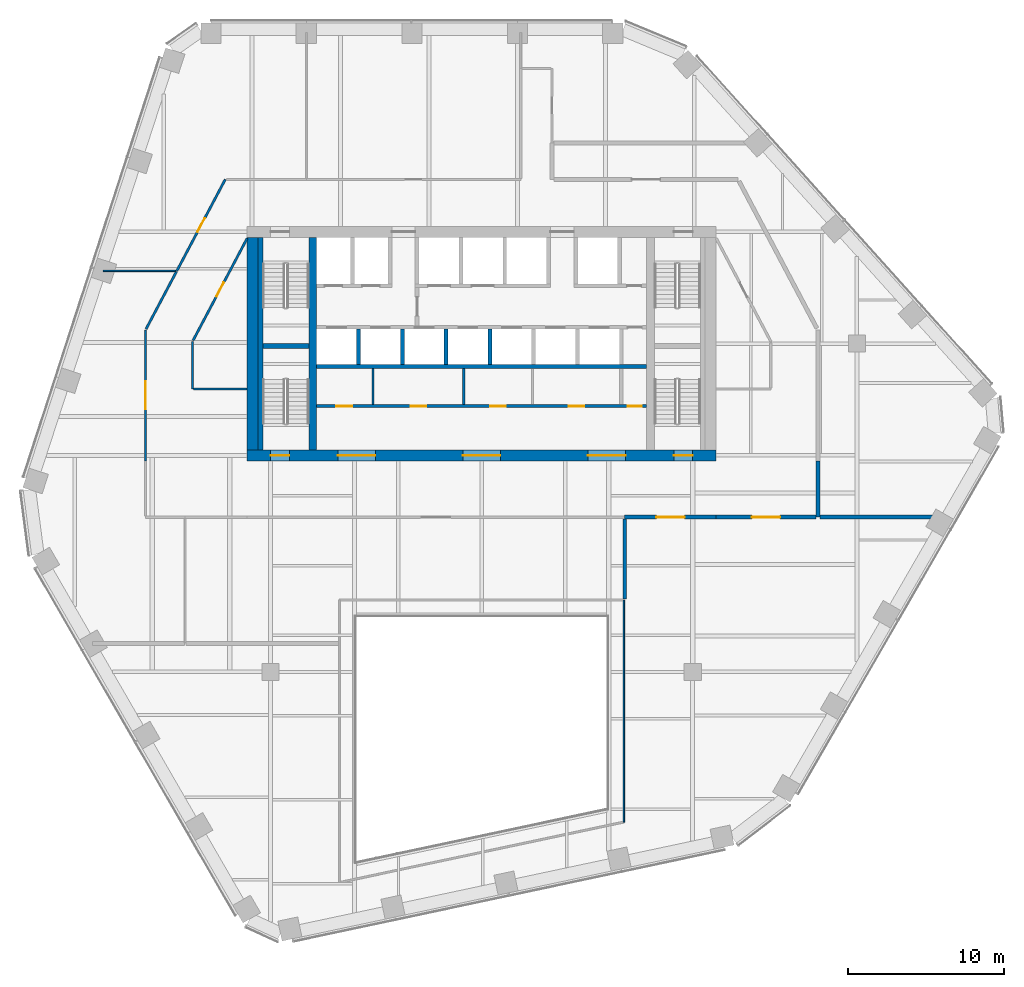
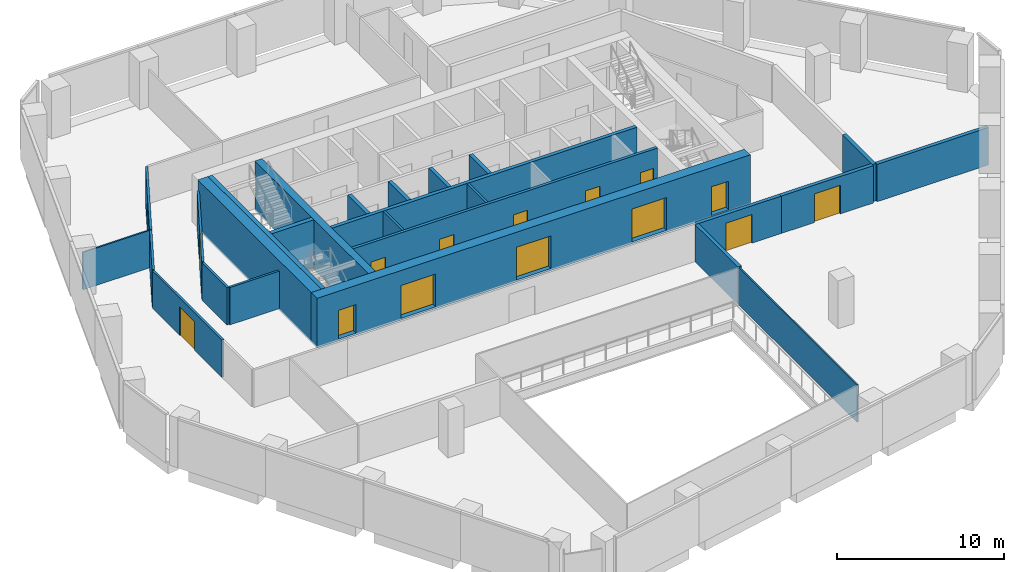
# One storey, part 11 of 16: 26 walls, 15 doors, 15 openings.
"""IFC4 building model written with IfcOpenShell, lengths in metres."""

from ifc_helpers import new_model, si_unit, direction, frame, frame_2d, origin, place, context, subcontext, project, spatial, rectangle, extrude, material, layer, layer_set, type_object, element, fill, save


model = new_model("IFC4")

# Units and contexts
model_context = context("Model", 3, precision=1e-05, world=origin(), true_north=direction((0.0, 1.0)))
body_context = subcontext(model_context, "Body", "Model", "MODEL_VIEW")
ifc_project = project(units=[si_unit("LENGTHUNIT", "METRE"), si_unit("AREAUNIT", "SQUARE_METRE"), si_unit("VOLUMEUNIT", "CUBIC_METRE"), si_unit("PLANEANGLEUNIT", "RADIAN"), si_unit("MASSUNIT", "GRAM", prefix="KILO")], contexts=[model_context])

# Site, building, storey
site_placement = place(None, origin())
site = spatial("IfcSite", under=ifc_project, at=site_placement, CompositionType="ELEMENT")
building_placement = place(site_placement, origin())
building = spatial("IfcBuilding", under=site, at=building_placement, Name="Isthmus Gate Tower", CompositionType="ELEMENT")
storey_placement = place(building_placement, frame((0.0, 0.0, 170.800048828125)))
storey = spatial("IfcBuildingStorey", under=building, at=storey_placement, Name="L42", CompositionType="ELEMENT", Elevation=170.800048828125)

# Wall, opening, door
ifc_material_1 = material(Name="Double-leaf acoustic stud wall, fire-rated", Category="gypsum")
ifc_layer_1 = layer(ifc_material_1, 0.25)
ifc_layer_set_1 = layer_set([ifc_layer_1], Name="ACOUSTIC WALL 250 60 MIN")
wall_type_1 = type_object("IfcWallType", Name="ACOUSTIC WALL 250 60 MIN", PredefinedType="PARTITIONING", material=ifc_layer_set_1)
wall_1_placement = place(storey_placement, frame((15.0, -3.60009765625, 0.0), z_axis=(0.0, 0.0, 1.0), x_axis=(-1.0, 0.0, 0.0)))
wall_1 = element("IfcWall", 1, at=wall_1_placement, inside=storey, type_object=wall_type_1, Name="L42 Acoustic Wall 250 60 Min", PredefinedType="PARTITIONING", context=body_context, shape_type="SweptSolid", body=[
    extrude(rectangle(XDim=5.85009765625, YDim=0.25, at=frame_2d((2.925048828125, 0.0))), origin(), (0.0, 0.0, 1.0), 2.7412109375),
])
opening_1_placement = place(wall_1_placement, frame((2.02490234375, 0.0, 0.0)))
opening_1 = element("IfcOpeningElement", 2, at=opening_1_placement, cuts=wall_1, Name="Opening DT-T4A-10", PredefinedType="OPENING", context=body_context, shape_type="SweptSolid", body=[
    extrude(rectangle(XDim=1.800048828125, YDim=2.10009765625, at=frame_2d((0.89990234375, 1.050048828125))), frame((0.0, 0.135009765625, 0.0), z_axis=(0.0, -1.0, 0.0), x_axis=(1.0, 0.0, 0.0)), (0.0, 0.0, 1.0), 0.27001953125),
])
ifc_material_2 = material(Name="Solid core timber door leaf, fire-rated", Category="wood")
door_type_1 = type_object("IfcDoorType", Name="FIRE DOOR ACOUSTIC ROOM 1800 X 2100 60 MIN", OperationType="DOUBLE_DOOR_DOUBLE_SWING", PredefinedType="DOOR", material=ifc_material_2)
door_1_placement = place(opening_1_placement, origin())
door_1 = element("IfcDoor", 3, at=door_1_placement, inside=storey, type_object=door_type_1, Name="L42 room door", OperationType="DOUBLE_DOOR_DOUBLE_SWING", OverallHeight=2.10009765625, OverallWidth=1.800048828125, PredefinedType="DOOR", context=body_context, shape_type="SweptSolid", body=[
    extrude(rectangle(XDim=1.800048828125, YDim=2.10009765625, at=frame_2d((0.89990234375, 1.050048828125))), frame((0.0, 0.02490234375, 0.0), z_axis=(0.0, -1.0, 0.0), x_axis=(1.0, 0.0, 0.0)), (0.0, 0.0, 1.0), 0.050048828125),
])
fill(opening_1, door_1)

# Wall
wall_2_placement = place(storey_placement, frame((21.5, 0.0, 0.0), z_axis=(0.0, 0.0, 1.0), x_axis=(0.0, -1.0, 0.0)))
element("IfcWall", 4, at=wall_2_placement, inside=storey, type_object=wall_type_1, Name="L42 Acoustic Wall 250 60 Min", PredefinedType="PARTITIONING", context=body_context, shape_type="SweptSolid", body=[
    extrude(rectangle(XDim=3.60009765625, YDim=0.25, at=frame_2d((1.800048828125, 0.0))), origin(), (0.0, 0.0, 1.0), 2.7412109375),
])

# Wall, opening, door
wall_3_placement = place(storey_placement, frame((21.375, -3.60009765625, 0.0), z_axis=(0.0, 0.0, 1.0), x_axis=(-1.0, 0.0, 0.0)))
wall_3 = element("IfcWall", 5, at=wall_3_placement, inside=storey, type_object=wall_type_1, Name="L42 Acoustic Wall 250 60 Min", PredefinedType="PARTITIONING", context=body_context, shape_type="SweptSolid", body=[
    extrude(rectangle(XDim=6.375, YDim=0.25, at=frame_2d((3.1875, 0.0))), origin(), (0.0, 0.0, 1.0), 2.7412109375),
])
opening_2_placement = place(wall_3_placement, frame((2.28759765625, 0.0, 0.0)))
opening_2 = element("IfcOpeningElement", 6, at=opening_2_placement, cuts=wall_3, Name="Opening DT-T4A-09", PredefinedType="OPENING", context=body_context, shape_type="SweptSolid", body=[
    extrude(rectangle(XDim=1.800048828125, YDim=2.10009765625, at=frame_2d((0.89990234375, 1.050048828125))), frame((0.0, 0.135009765625, 0.0), z_axis=(0.0, -1.0, 0.0), x_axis=(1.0, 0.0, 0.0)), (0.0, 0.0, 1.0), 0.27001953125),
])
door_2_placement = place(opening_2_placement, origin())
door_2 = element("IfcDoor", 7, at=door_2_placement, inside=storey, type_object=door_type_1, Name="L42 room door", OperationType="DOUBLE_DOOR_DOUBLE_SWING", OverallHeight=2.10009765625, OverallWidth=1.800048828125, PredefinedType="DOOR", context=body_context, shape_type="SweptSolid", body=[
    extrude(rectangle(XDim=1.800048828125, YDim=2.10009765625, at=frame_2d((0.89990234375, 1.050048828125))), frame((0.0, 0.02490234375, 0.0), z_axis=(0.0, -1.0, 0.0), x_axis=(1.0, 0.0, 0.0)), (0.0, 0.0, 1.0), 0.050048828125),
])
fill(opening_2, door_2)

# Walls
wall_4_placement = place(storey_placement, frame((21.6259765625, -3.597900390625, 0.0), z_axis=(0.0, 0.0, 1.0), x_axis=(1.0, 0.0, 0.0)))
element("IfcWall", 8, at=wall_4_placement, inside=storey, type_object=wall_type_1, Name="L42 Acoustic Wall 250 60 Min", PredefinedType="PARTITIONING", context=body_context, shape_type="SweptSolid", body=[
    extrude(rectangle(XDim=7.72509765625, YDim=0.25, at=frame_2d((3.862548828125, 0.0))), origin(), (0.0, 0.0, 1.0), 2.7412109375),
])
wall_5_placement = place(storey_placement, frame((9.14990234375, -8.85009765625, 0.0), z_axis=(0.0, 0.0, 1.0), x_axis=(0.0, 1.0, 0.0)))
element("IfcWall", 9, at=wall_5_placement, inside=storey, type_object=wall_type_1, Name="L42 Acoustic Wall 250 60 Min", PredefinedType="PARTITIONING", context=body_context, shape_type="SweptSolid", body=[
    extrude(rectangle(XDim=5.125, YDim=0.25, at=frame_2d((2.5625, 0.0))), origin(), (0.0, 0.0, 1.0), 2.7412109375),
])
ifc_material_3 = material(Name="Fire-rated laminated glass in steel frame", Category="steel")
ifc_layer_2 = layer(ifc_material_3, 0.10009765625)
ifc_layer_set_2 = layer_set([ifc_layer_2], Name="ATRIUM SCREEN GLAZED WALL 100 120 MIN")
wall_type_2 = type_object("IfcWallType", Name="ATRIUM SCREEN GLAZED WALL 100 120 MIN", PredefinedType="PARTITIONING", material=ifc_layer_set_2)
wall_6_placement = place(storey_placement, frame((9.10009765625, -8.89990234375, 0.0), z_axis=(0.0, 0.0, 1.0), x_axis=(0.0, -1.0, 0.0)))
element("IfcWall", 10, at=wall_6_placement, inside=storey, type_object=wall_type_2, Name="L42 atrium screen", PredefinedType="PARTITIONING", context=body_context, shape_type="SweptSolid", body=[
    extrude(rectangle(XDim=14.200927734375, YDim=0.10009765625, at=frame_2d((7.1005859375, 0.0))), origin(), (0.0, 0.0, 1.0), 2.7412109375),
])
ifc_material_4 = material(Name="Gypsum board on steel studs, fire-rated", Category="steel")
ifc_layer_3 = layer(ifc_material_4, 0.14990234375)
ifc_layer_set_3 = layer_set([ifc_layer_3], Name="CORRIDOR WALL 150 60 MIN")
wall_type_3 = type_object("IfcWallType", Name="CORRIDOR WALL 150 60 MIN", PredefinedType="PARTITIONING", material=ifc_layer_set_3)
wall_7_placement = place(storey_placement, frame((-18.5, 7.626953125, 0.0), z_axis=(0.0, 0.0, 1.0), x_axis=(0.0, -1.0, 0.0)))
element("IfcWall", 11, at=wall_7_placement, inside=storey, type_object=wall_type_3, Name="L42 Corridor Wall 150 60 Min", PredefinedType="PARTITIONING", context=body_context, shape_type="SweptSolid", body=[
    extrude(rectangle(XDim=3.02685546875, YDim=0.14990234375, at=frame_2d((1.513427734375, 0.0))), origin(), (0.0, 0.0, 1.0), 2.7412109375),
])

# Wall, opening, door
wall_8_placement = place(storey_placement, frame((-15.0, 14.239013671875, 0.0), z_axis=(0.0, 0.0, 1.0), x_axis=(-0.467834708812, -0.88381597928, 0.0)))
wall_8 = element("IfcWall", 12, at=wall_8_placement, inside=storey, type_object=wall_type_3, Name="L42 Corridor Wall 150 60 Min", PredefinedType="PARTITIONING", context=body_context, shape_type="SweptSolid", body=[
    extrude(rectangle(XDim=7.40625, YDim=0.14990234375, at=frame_2d((3.703125, 0.0))), origin(), (0.0, 0.0, 1.0), 2.7412109375),
])
opening_3_placement = place(wall_8_placement, frame((3.203125, 0.0, 0.0)))
opening_3 = element("IfcOpeningElement", 13, at=opening_3_placement, cuts=wall_8, Name="Opening DT-T4A-04", PredefinedType="OPENING", context=body_context, shape_type="SweptSolid", body=[
    extrude(rectangle(XDim=1.0, YDim=2.10009765625, at=frame_2d((0.5, 1.050048828125))), frame((0.0, 0.0849609375, 0.0), z_axis=(0.0, -1.0, 0.0), x_axis=(1.0, 0.0, 0.0)), (0.0, 0.0, 1.0), 0.169921875),
])
ifc_material_5 = material(Name="Solid core timber door leaf, fire-rated", Category="wood")
door_type_2 = type_object("IfcDoorType", Name="FIRE DOOR ROOM 1000 X 2100 60 MIN", OperationType="SINGLE_SWING_LEFT", PredefinedType="DOOR", material=ifc_material_5)
door_3_placement = place(opening_3_placement, origin())
door_3 = element("IfcDoor", 14, at=door_3_placement, inside=storey, type_object=door_type_2, Name="L42 room door", OperationType="SINGLE_SWING_RIGHT", OverallHeight=2.10009765625, OverallWidth=1.0, PredefinedType="DOOR", context=body_context, shape_type="SweptSolid", body=[
    extrude(rectangle(XDim=1.0, YDim=2.10009765625, at=frame_2d((0.5, 1.050048828125))), frame((0.0, 0.02490234375, 0.0), z_axis=(0.0, -1.0, 0.0), x_axis=(1.0, 0.0, 0.0)), (0.0, 0.0, 1.0), 0.050048828125),
])
fill(opening_3, door_3)

wall_9_placement = place(storey_placement, frame((-19.4970703125, 12.156005859375, 0.0), z_axis=(0.0, 0.0, 1.0), x_axis=(0.467901291368, 0.883780731593, 0.0)))
wall_9 = element("IfcWall", 15, at=wall_9_placement, inside=storey, type_object=wall_type_3, Name="L42 Corridor Wall 150 60 Min", PredefinedType="PARTITIONING", context=body_context, shape_type="SweptSolid", body=[
    extrude(rectangle(XDim=6.612548828125, YDim=0.14990234375, at=frame_2d((3.30615234375, 0.0))), origin(), (0.0, 0.0, 1.0), 2.7412109375),
])
opening_4_placement = place(wall_9_placement, frame((2.806396484375, 0.0, 0.0)))
opening_4 = element("IfcOpeningElement", 16, at=opening_4_placement, cuts=wall_9, Name="Opening DT-T4A-03", PredefinedType="OPENING", context=body_context, shape_type="SweptSolid", body=[
    extrude(rectangle(XDim=1.0, YDim=2.10009765625, at=frame_2d((0.5, 1.050048828125))), frame((0.0, 0.0849609375, 0.0), z_axis=(0.0, -1.0, 0.0), x_axis=(1.0, 0.0, 0.0)), (0.0, 0.0, 1.0), 0.169921875),
])
door_4_placement = place(opening_4_placement, origin())
door_4 = element("IfcDoor", 17, at=door_4_placement, inside=storey, type_object=door_type_2, Name="L42 room door", OperationType="SINGLE_SWING_RIGHT", OverallHeight=2.10009765625, OverallWidth=1.0, PredefinedType="DOOR", context=body_context, shape_type="SweptSolid", body=[
    extrude(rectangle(XDim=1.0, YDim=2.10009765625, at=frame_2d((0.5, 1.050048828125))), frame((0.0, 0.02490234375, 0.0), z_axis=(0.0, -1.0, 0.0), x_axis=(1.0, 0.0, 0.0)), (0.0, 0.0, 1.0), 0.050048828125),
])
fill(opening_4, door_4)

# Wall
wall_10_placement = place(storey_placement, frame((-18.425048828125, 4.60009765625, 0.0), z_axis=(0.0, 0.0, 1.0), x_axis=(1.0, 0.0, 0.0)))
element("IfcWall", 18, at=wall_10_placement, inside=storey, type_object=wall_type_3, Name="L42 Corridor Wall 150 60 Min", PredefinedType="PARTITIONING", context=body_context, shape_type="SweptSolid", body=[
    extrude(rectangle(XDim=3.425048828125, YDim=0.14990234375, at=frame_2d((1.71240234375, 0.0))), origin(), (0.0, 0.0, 1.0), 2.7412109375),
])

# Wall, opening, door
wall_11_placement = place(storey_placement, frame((-21.5, 0.0, 0.0), z_axis=(0.0, 0.0, 1.0), x_axis=(0.0, 1.0, 0.0)))
wall_11 = element("IfcWall", 19, at=wall_11_placement, inside=storey, type_object=wall_type_3, Name="L42 Corridor Wall 150 60 Min", PredefinedType="PARTITIONING", context=body_context, shape_type="SweptSolid", body=[
    extrude(rectangle(XDim=8.373046875, YDim=0.14990234375, at=frame_2d((4.1865234375, 0.0))), origin(), (0.0, 0.0, 1.0), 2.7412109375),
])
opening_5_placement = place(wall_11_placement, frame((3.28662109375, 0.0, 0.0)))
opening_5 = element("IfcOpeningElement", 20, at=opening_5_placement, cuts=wall_11, Name="Opening DT-T4A-07", PredefinedType="OPENING", context=body_context, shape_type="SweptSolid", body=[
    extrude(rectangle(XDim=1.800048828125, YDim=2.10009765625, at=frame_2d((0.89990234375, 1.050048828125))), frame((0.0, 0.0849609375, 0.0), z_axis=(0.0, -1.0, 0.0), x_axis=(1.0, 0.0, 0.0)), (0.0, 0.0, 1.0), 0.169921875),
])
ifc_material_6 = material(Name="Solid core timber door leaf, fire-rated", Category="wood")
door_type_3 = type_object("IfcDoorType", Name="FIRE DOOR ROOM 1800 X 2100 60 MIN", OperationType="DOUBLE_DOOR_DOUBLE_SWING", PredefinedType="DOOR", material=ifc_material_6)
door_5_placement = place(opening_5_placement, origin())
door_5 = element("IfcDoor", 21, at=door_5_placement, inside=storey, type_object=door_type_3, Name="L42 room door", OperationType="DOUBLE_DOOR_DOUBLE_SWING", OverallHeight=2.10009765625, OverallWidth=1.800048828125, PredefinedType="DOOR", context=body_context, shape_type="SweptSolid", body=[
    extrude(rectangle(XDim=1.800048828125, YDim=2.10009765625, at=frame_2d((0.89990234375, 1.050048828125))), frame((0.0, 0.02490234375, 0.0), z_axis=(0.0, -1.0, 0.0), x_axis=(1.0, 0.0, 0.0)), (0.0, 0.0, 1.0), 0.050048828125),
])
fill(opening_5, door_5)

# Walls
wall_12_placement = place(storey_placement, frame((-21.46484375, 8.439208984375, 0.0), z_axis=(0.0, 0.0, 1.0), x_axis=(0.467890419772, 0.883786487272, 0.0)))
element("IfcWall", 22, at=wall_12_placement, inside=storey, type_object=wall_type_3, Name="L42 Corridor Wall 150 60 Min", PredefinedType="PARTITIONING", context=body_context, shape_type="SweptSolid", body=[
    extrude(rectangle(XDim=4.155517578125, YDim=0.14990234375, at=frame_2d((2.07763671875, 0.0))), origin(), (0.0, 0.0, 1.0), 2.7412109375),
])
ifc_material_7 = material(Name="Concrete f'c 60 MPa", Category="concrete")
ifc_layer_4 = layer(ifc_material_7, 0.5)
ifc_layer_set_4 = layer_set([ifc_layer_4], Name="RC CORE SPINE WALL 500 F'C 60")
wall_type_4 = type_object("IfcWallType", Name="RC CORE SPINE WALL 500 F'C 60", PredefinedType="SOLIDWALL", material=ifc_layer_set_4)
wall_13_placement = place(storey_placement, frame((-10.800048828125, 0.699951171875, -0.150146484375), z_axis=(0.0, 0.0, 1.0), x_axis=(0.0, 1.0, 0.0)))
element("IfcWall", 23, at=wall_13_placement, inside=storey, type_object=wall_type_4, Name="str-corewall-L42-SPW", PredefinedType="SOLIDWALL", context=body_context, shape_type="SweptSolid", body=[
    extrude(rectangle(XDim=13.60009765625, YDim=0.5, at=frame_2d((6.800048828125, 0.0))), origin(), (0.0, 0.0, 1.0), 3.650146484375),
])

# Wall, openings, doors
ifc_material_8 = material(Name="Concrete f'c 60 MPa", Category="concrete")
ifc_layer_5 = layer(ifc_material_8, 0.699951171875)
ifc_layer_set_5 = layer_set([ifc_layer_5], Name="RC CORE WALL 700 F'C 60")
wall_type_5 = type_object("IfcWallType", Name="RC CORE WALL 700 F'C 60", PredefinedType="SOLIDWALL", material=ifc_layer_set_5)
wall_14_placement = place(storey_placement, frame((-15.0, 0.35009765625, -0.150146484375), z_axis=(0.0, 0.0, 1.0), x_axis=(1.0, 0.0, 0.0)))
wall_14 = element("IfcWall", 24, at=wall_14_placement, inside=storey, type_object=wall_type_5, Name="str-corewall-L42-S", PredefinedType="SOLIDWALL", context=body_context, shape_type="SweptSolid", body=[
    extrude(rectangle(XDim=30.0, YDim=0.699951171875, at=frame_2d((15.0, 0.0))), origin(), (0.0, 0.0, 1.0), 3.650146484375),
])
opening_6_placement = place(wall_14_placement, frame((5.800048828125, 0.0, 0.14990234375)))
opening_6 = element("IfcOpeningElement", 25, at=opening_6_placement, cuts=wall_14, Name="Opening DC-A13-09", PredefinedType="OPENING", context=body_context, shape_type="SweptSolid", body=[
    extrude(rectangle(XDim=2.39990234375, YDim=2.39990234375, at=frame_2d((1.199951171875, 1.199951171875))), frame((0.0, 0.35986328125, 0.0), z_axis=(0.0, -1.0, 0.0), x_axis=(1.0, 0.0, 0.0)), (0.0, 0.0, 1.0), 0.719970703125),
])
opening_7_placement = place(wall_14_placement, frame((13.800048828125, 0.0, 0.14990234375)))
opening_7 = element("IfcOpeningElement", 26, at=opening_7_placement, cuts=wall_14, Name="Opening DC-A13-10", PredefinedType="OPENING", context=body_context, shape_type="SweptSolid", body=[
    extrude(rectangle(XDim=2.39990234375, YDim=2.39990234375, at=frame_2d((1.199951171875, 1.199951171875))), frame((0.0, 0.35986328125, 0.0), z_axis=(0.0, -1.0, 0.0), x_axis=(1.0, 0.0, 0.0)), (0.0, 0.0, 1.0), 0.719970703125),
])
opening_8_placement = place(wall_14_placement, frame((21.800048828125, 0.0, 0.14990234375)))
opening_8 = element("IfcOpeningElement", 27, at=opening_8_placement, cuts=wall_14, Name="Opening DC-A13-11", PredefinedType="OPENING", context=body_context, shape_type="SweptSolid", body=[
    extrude(rectangle(XDim=2.39990234375, YDim=2.39990234375, at=frame_2d((1.199951171875, 1.199951171875))), frame((0.0, 0.35986328125, 0.0), z_axis=(0.0, -1.0, 0.0), x_axis=(1.0, 0.0, 0.0)), (0.0, 0.0, 1.0), 0.719970703125),
])
opening_9_placement = place(wall_14_placement, frame((1.5, 0.0, 0.14990234375)))
opening_9 = element("IfcOpeningElement", 28, at=opening_9_placement, cuts=wall_14, Name="Opening DC-A13-16", PredefinedType="OPENING", context=body_context, shape_type="SweptSolid", body=[
    extrude(rectangle(XDim=1.199951171875, YDim=2.10009765625, at=frame_2d((0.60009765625, 1.050048828125))), frame((0.0, 0.35986328125, 0.0), z_axis=(0.0, -1.0, 0.0), x_axis=(1.0, 0.0, 0.0)), (0.0, 0.0, 1.0), 0.719970703125),
])
opening_10_placement = place(wall_14_placement, frame((27.300048828125, 0.0, 0.14990234375)))
opening_10 = element("IfcOpeningElement", 29, at=opening_10_placement, cuts=wall_14, Name="Opening DC-A13-17", PredefinedType="OPENING", context=body_context, shape_type="SweptSolid", body=[
    extrude(rectangle(XDim=1.199951171875, YDim=2.10009765625, at=frame_2d((0.60009765625, 1.050048828125))), frame((0.0, 0.35986328125, 0.0), z_axis=(0.0, -1.0, 0.0), x_axis=(1.0, 0.0, 0.0)), (0.0, 0.0, 1.0), 0.719970703125),
])
ifc_material_9 = material(Name="Laminated safety glass in steel frame, fire-rated", Category="steel")
door_type_4 = type_object("IfcDoorType", Name="LOBBY ENTRANCE FIRE DOOR 2400 X 2400 60 MIN", OperationType="DOUBLE_DOOR_DOUBLE_SWING", PredefinedType="DOOR", material=ifc_material_9)
door_6_placement = place(opening_6_placement, origin())
door_6 = element("IfcDoor", 30, at=door_6_placement, inside=storey, type_object=door_type_4, Name="Lobby Entrance PS-W", OperationType="DOUBLE_DOOR_DOUBLE_SWING", OverallHeight=2.39990234375, OverallWidth=2.39990234375, PredefinedType="DOOR", context=body_context, shape_type="SweptSolid", body=[
    extrude(rectangle(XDim=2.39990234375, YDim=2.39990234375, at=frame_2d((1.199951171875, 1.199951171875))), frame((0.0, 0.02490234375, 0.0), z_axis=(0.0, -1.0, 0.0), x_axis=(1.0, 0.0, 0.0)), (0.0, 0.0, 1.0), 0.050048828125),
])
fill(opening_6, door_6)
door_7_placement = place(opening_7_placement, origin())
door_7 = element("IfcDoor", 31, at=door_7_placement, inside=storey, type_object=door_type_4, Name="Lobby Entrance PS-C", OperationType="DOUBLE_DOOR_DOUBLE_SWING", OverallHeight=2.39990234375, OverallWidth=2.39990234375, PredefinedType="DOOR", context=body_context, shape_type="SweptSolid", body=[
    extrude(rectangle(XDim=2.39990234375, YDim=2.39990234375, at=frame_2d((1.199951171875, 1.199951171875))), frame((0.0, 0.02490234375, 0.0), z_axis=(0.0, -1.0, 0.0), x_axis=(1.0, 0.0, 0.0)), (0.0, 0.0, 1.0), 0.050048828125),
])
fill(opening_7, door_7)
door_8_placement = place(opening_8_placement, origin())
door_8 = element("IfcDoor", 32, at=door_8_placement, inside=storey, type_object=door_type_4, Name="Lobby Entrance PS-E", OperationType="DOUBLE_DOOR_DOUBLE_SWING", OverallHeight=2.39990234375, OverallWidth=2.39990234375, PredefinedType="DOOR", context=body_context, shape_type="SweptSolid", body=[
    extrude(rectangle(XDim=2.39990234375, YDim=2.39990234375, at=frame_2d((1.199951171875, 1.199951171875))), frame((0.0, 0.02490234375, 0.0), z_axis=(0.0, -1.0, 0.0), x_axis=(1.0, 0.0, 0.0)), (0.0, 0.0, 1.0), 0.050048828125),
])
fill(opening_8, door_8)
ifc_material_10 = material(Name="Steel door leaf, fire-rated", Category="steel")
door_type_5 = type_object("IfcDoorType", Name="STAIR FIRE DOOR 1200 X 2100 90 MIN", OperationType="SINGLE_SWING_LEFT", PredefinedType="DOOR", material=ifc_material_10)
door_9_placement = place(opening_9_placement, origin())
door_9 = element("IfcDoor", 33, at=door_9_placement, inside=storey, type_object=door_type_5, Name="Exit Stair 7 Door", OperationType="SINGLE_SWING_LEFT", OverallHeight=2.10009765625, OverallWidth=1.199951171875, PredefinedType="DOOR", context=body_context, shape_type="SweptSolid", body=[
    extrude(rectangle(XDim=1.199951171875, YDim=2.10009765625, at=frame_2d((0.60009765625, 1.050048828125))), frame((0.0, 0.02490234375, 0.0), z_axis=(0.0, -1.0, 0.0), x_axis=(1.0, 0.0, 0.0)), (0.0, 0.0, 1.0), 0.050048828125),
])
fill(opening_9, door_9)
door_10_placement = place(opening_10_placement, origin())
door_10 = element("IfcDoor", 34, at=door_10_placement, inside=storey, type_object=door_type_5, Name="Exit Stair 8 Door", OperationType="SINGLE_SWING_RIGHT", OverallHeight=2.10009765625, OverallWidth=1.199951171875, PredefinedType="DOOR", context=body_context, shape_type="SweptSolid", body=[
    extrude(rectangle(XDim=1.199951171875, YDim=2.10009765625, at=frame_2d((0.60009765625, 1.050048828125))), frame((0.0, 0.02490234375, 0.0), z_axis=(0.0, -1.0, 0.0), x_axis=(1.0, 0.0, 0.0)), (0.0, 0.0, 1.0), 0.050048828125),
])
fill(opening_10, door_10)

# Walls
wall_15_placement = place(storey_placement, frame((-14.64990234375, 0.699951171875, -0.150146484375), z_axis=(0.0, 0.0, 1.0), x_axis=(0.0, 1.0, 0.0)))
element("IfcWall", 35, at=wall_15_placement, inside=storey, type_object=wall_type_5, Name="str-corewall-L42-W", PredefinedType="SOLIDWALL", context=body_context, shape_type="SweptSolid", body=[
    extrude(rectangle(XDim=13.60009765625, YDim=0.699951171875, at=frame_2d((6.800048828125, 0.0))), origin(), (0.0, 0.0, 1.0), 3.650146484375),
])
ifc_material_11 = material(Name="Gypsum board on steel studs, fire-rated", Category="steel")
ifc_layer_6 = layer(ifc_material_11, 0.10009765625)
ifc_layer_set_6 = layer_set([ifc_layer_6], Name="ROOM PARTITION 100 30 MIN")
wall_type_6 = type_object("IfcWallType", Name="ROOM PARTITION 100 30 MIN", PredefinedType="PARTITIONING", material=ifc_layer_set_6)
wall_16_placement = place(storey_placement, frame((-24.217041015625, 12.156005859375, 0.0), z_axis=(0.0, 0.0, 1.0), x_axis=(1.0, 0.0, 0.0)))
element("IfcWall", 36, at=wall_16_placement, inside=storey, type_object=wall_type_6, Name="L42 Room Partition 100 30 Min", PredefinedType="PARTITIONING", context=body_context, shape_type="SweptSolid", body=[
    extrude(rectangle(XDim=4.636962890625, YDim=0.10009765625, at=frame_2d((2.318359375, 0.0))), origin(), (0.0, 0.0, 1.0), 2.7412109375),
])
ifc_material_12 = material(Name="Gypsum board on steel studs, fire-rated", Category="steel")
ifc_layer_7 = layer(ifc_material_12, 0.14990234375)
ifc_layer_set_7 = layer_set([ifc_layer_7], Name="ROOM PARTITION 150 60 MIN")
wall_type_7 = type_object("IfcWallType", Name="ROOM PARTITION 150 60 MIN", PredefinedType="PARTITIONING", material=ifc_layer_set_7)
for number, where, z_axis, x_axis, name in (
    (37, (-6.949951171875, 3.60009765625, 0.0), (0.0, 0.0, 1.0), (0.0, 1.0, 0.0), "L42 ROOM PARTITION 150 60 MIN"),
    (38, (-1.14990234375, 3.60009765625, 0.0), (0.0, 0.0, 1.0), (0.0, 1.0, 0.0), "L42 ROOM PARTITION 150 60 MIN"),
):
    element("IfcWall", number, at=place(storey_placement, frame(where, z_axis=z_axis, x_axis=x_axis)), inside=storey, type_object=wall_type_7, Name=name, PredefinedType="PARTITIONING", context=body_context, shape_type="SweptSolid", body=[
        extrude(rectangle(XDim=2.2998046875, YDim=0.14990234375, at=frame_2d((1.14990234375, 0.0))), origin(), (0.0, 0.0, 1.0), 3.5),
    ])

# Wall, openings, doors
ifc_material_13 = material(Name="Fire-rated blockwork masonry, 15 MPa", Category="masonry")
ifc_layer_8 = layer(ifc_material_13, 0.199951171875)
ifc_layer_set_8 = layer_set([ifc_layer_8], Name="SHAFT FRONT WALL 200 120 MIN")
wall_type_8 = type_object("IfcWallType", Name="SHAFT FRONT WALL 200 120 MIN", PredefinedType="PARTITIONING", material=ifc_layer_set_8)
wall_17_placement = place(storey_placement, frame((-10.550048828125, 3.5, 0.0), z_axis=(0.0, 0.0, 1.0), x_axis=(1.0, 0.0, 0.0)))
wall_17 = element("IfcWall", 39, at=wall_17_placement, inside=storey, type_object=wall_type_8, Name="L42 SHAFT FRONT WALL 200 120 MIN", PredefinedType="PARTITIONING", context=body_context, shape_type="SweptSolid", body=[
    extrude(rectangle(XDim=21.10009765625, YDim=0.199951171875, at=frame_2d((10.550048828125, 0.0))), origin(), (0.0, 0.0, 1.0), 3.5),
])
opening_11_placement = place(wall_17_placement, frame((1.262451171875, 0.0, 0.0)))
opening_11 = element("IfcOpeningElement", 40, at=opening_11_placement, cuts=wall_17, Name="Opening DC-A13-02", PredefinedType="OPENING", context=body_context, shape_type="SweptSolid", body=[
    extrude(rectangle(XDim=1.0, YDim=2.10009765625, at=frame_2d((0.5, 1.050048828125))), frame((0.0, 0.10986328125, 0.0), z_axis=(0.0, -1.0, 0.0), x_axis=(1.0, 0.0, 0.0)), (0.0, 0.0, 1.0), 0.219970703125),
])
opening_12_placement = place(wall_17_placement, frame((6.0, 0.0, 0.0)))
opening_12 = element("IfcOpeningElement", 41, at=opening_12_placement, cuts=wall_17, Name="Opening DC-A13-03", PredefinedType="OPENING", context=body_context, shape_type="SweptSolid", body=[
    extrude(rectangle(XDim=1.0, YDim=2.10009765625, at=frame_2d((0.5, 1.050048828125))), frame((0.0, 0.10986328125, 0.0), z_axis=(0.0, -1.0, 0.0), x_axis=(1.0, 0.0, 0.0)), (0.0, 0.0, 1.0), 0.219970703125),
])
opening_13_placement = place(wall_17_placement, frame((11.10009765625, 0.0, 0.0)))
opening_13 = element("IfcOpeningElement", 42, at=opening_13_placement, cuts=wall_17, Name="Opening DC-A13-04", PredefinedType="OPENING", context=body_context, shape_type="SweptSolid", body=[
    extrude(rectangle(XDim=1.0, YDim=2.10009765625, at=frame_2d((0.5, 1.050048828125))), frame((0.0, 0.10986328125, 0.0), z_axis=(0.0, -1.0, 0.0), x_axis=(1.0, 0.0, 0.0)), (0.0, 0.0, 1.0), 0.219970703125),
])
opening_14_placement = place(wall_17_placement, frame((16.112548828125, 0.0, 0.0)))
opening_14 = element("IfcOpeningElement", 43, at=opening_14_placement, cuts=wall_17, Name="Opening DC-A13-05", PredefinedType="OPENING", context=body_context, shape_type="SweptSolid", body=[
    extrude(rectangle(XDim=1.0, YDim=2.10009765625, at=frame_2d((0.5, 1.050048828125))), frame((0.0, 0.10986328125, 0.0), z_axis=(0.0, -1.0, 0.0), x_axis=(1.0, 0.0, 0.0)), (0.0, 0.0, 1.0), 0.219970703125),
])
opening_15_placement = place(wall_17_placement, frame((19.89990234375, 0.0, 0.0)))
opening_15 = element("IfcOpeningElement", 44, at=opening_15_placement, cuts=wall_17, Name="Opening DC-A13-06", PredefinedType="OPENING", context=body_context, shape_type="SweptSolid", body=[
    extrude(rectangle(XDim=0.89990234375, YDim=2.10009765625, at=frame_2d((0.449951171875, 1.050048828125))), frame((0.0, 0.10986328125, 0.0), z_axis=(0.0, -1.0, 0.0), x_axis=(1.0, 0.0, 0.0)), (0.0, 0.0, 1.0), 0.219970703125),
])
ifc_material_14 = material(Name="Steel door leaf, fire-rated", Category="steel")
door_type_6 = type_object("IfcDoorType", Name="FIRE DOOR 1000 X 2100 60 MIN", OperationType="SINGLE_SWING_LEFT", PredefinedType="DOOR", material=ifc_material_14)
door_11_placement = place(opening_11_placement, origin())
door_11 = element("IfcDoor", 45, at=door_11_placement, inside=storey, type_object=door_type_6, Name="Accessible WC Door", OperationType="SINGLE_SWING_LEFT", OverallHeight=2.10009765625, OverallWidth=1.0, PredefinedType="DOOR", context=body_context, shape_type="SweptSolid", body=[
    extrude(rectangle(XDim=1.0, YDim=2.10009765625, at=frame_2d((0.5, 1.050048828125))), frame((0.0, 0.02490234375, 0.0), z_axis=(0.0, -1.0, 0.0), x_axis=(1.0, 0.0, 0.0)), (0.0, 0.0, 1.0), 0.050048828125),
])
fill(opening_11, door_11)
door_12_placement = place(opening_12_placement, origin())
door_12 = element("IfcDoor", 46, at=door_12_placement, inside=storey, type_object=door_type_6, Name="WC Women Door", OperationType="SINGLE_SWING_RIGHT", OverallHeight=2.10009765625, OverallWidth=1.0, PredefinedType="DOOR", context=body_context, shape_type="SweptSolid", body=[
    extrude(rectangle(XDim=1.0, YDim=2.10009765625, at=frame_2d((0.5, 1.050048828125))), frame((0.0, 0.02490234375, 0.0), z_axis=(0.0, -1.0, 0.0), x_axis=(1.0, 0.0, 0.0)), (0.0, 0.0, 1.0), 0.050048828125),
])
fill(opening_12, door_12)
door_13_placement = place(opening_13_placement, origin())
door_13 = element("IfcDoor", 47, at=door_13_placement, inside=storey, type_object=door_type_6, Name="WC Men Door", OperationType="SINGLE_SWING_LEFT", OverallHeight=2.10009765625, OverallWidth=1.0, PredefinedType="DOOR", context=body_context, shape_type="SweptSolid", body=[
    extrude(rectangle(XDim=1.0, YDim=2.10009765625, at=frame_2d((0.5, 1.050048828125))), frame((0.0, 0.02490234375, 0.0), z_axis=(0.0, -1.0, 0.0), x_axis=(1.0, 0.0, 0.0)), (0.0, 0.0, 1.0), 0.050048828125),
])
fill(opening_13, door_13)
door_14_placement = place(opening_14_placement, origin())
door_14 = element("IfcDoor", 48, at=door_14_placement, inside=storey, type_object=door_type_6, Name="Staff Room Door", OperationType="SINGLE_SWING_RIGHT", OverallHeight=2.10009765625, OverallWidth=1.0, PredefinedType="DOOR", context=body_context, shape_type="SweptSolid", body=[
    extrude(rectangle(XDim=1.0, YDim=2.10009765625, at=frame_2d((0.5, 1.050048828125))), frame((0.0, 0.02490234375, 0.0), z_axis=(0.0, -1.0, 0.0), x_axis=(1.0, 0.0, 0.0)), (0.0, 0.0, 1.0), 0.050048828125),
])
fill(opening_14, door_14)
ifc_material_15 = material(Name="Steel door leaf, fire-rated", Category="steel")
door_type_7 = type_object("IfcDoorType", Name="RISER FIRE DOOR 900 X 2100 90 MIN", OperationType="SINGLE_SWING_LEFT", PredefinedType="DOOR", material=ifc_material_15)
door_15_placement = place(opening_15_placement, origin())
door_15 = element("IfcDoor", 49, at=door_15_placement, inside=storey, type_object=door_type_7, Name="Riser Door", OperationType="SINGLE_SWING_RIGHT", OverallHeight=2.10009765625, OverallWidth=0.89990234375, PredefinedType="DOOR", context=body_context, shape_type="SweptSolid", body=[
    extrude(rectangle(XDim=0.89990234375, YDim=2.10009765625, at=frame_2d((0.449951171875, 1.050048828125))), frame((0.0, 0.02490234375, 0.0), z_axis=(0.0, -1.0, 0.0), x_axis=(1.0, 0.0, 0.0)), (0.0, 0.0, 1.0), 0.050048828125),
])
fill(opening_15, door_15)

# Walls
ifc_material_16 = material(Name="Fire-rated blockwork masonry, 15 MPa", Category="masonry")
ifc_layer_9 = layer(ifc_material_16, 0.25)
ifc_layer_set_9 = layer_set([ifc_layer_9], Name="SHAFT WALL 250 120 MIN")
wall_type_9 = type_object("IfcWallType", Name="SHAFT WALL 250 120 MIN", PredefinedType="PARTITIONING", material=ifc_layer_set_9)
wall_18_placement = place(storey_placement, frame((-10.550048828125, 6.02490234375, 0.0), z_axis=(0.0, 0.0, 1.0), x_axis=(1.0, 0.0, 0.0)))
element("IfcWall", 50, at=wall_18_placement, inside=storey, type_object=wall_type_9, Name="L42 SHAFT WALL 250 120 MIN", PredefinedType="PARTITIONING", context=body_context, shape_type="SweptSolid", body=[
    extrude(rectangle(XDim=21.10009765625, YDim=0.25, at=frame_2d((10.550048828125, 0.0))), origin(), (0.0, 0.0, 1.0), 3.5),
])
for number, where, z_axis, x_axis, name in (
    (51, (-7.875, 6.14990234375, 0.0), (0.0, 0.0, 1.0), (0.0, 1.0, 0.0), "L42 SHAFT WALL 250 120 MIN"),
    (52, (-5.074951171875, 6.14990234375, 0.0), (0.0, 0.0, 1.0), (0.0, 1.0, 0.0), "L42 SHAFT WALL 250 120 MIN"),
    (53, (-2.27490234375, 6.14990234375, 0.0), (0.0, 0.0, 1.0), (0.0, 1.0, 0.0), "L42 SHAFT WALL 250 120 MIN"),
    (54, (0.52490234375, 6.14990234375, 0.0), (0.0, 0.0, 1.0), (0.0, 1.0, 0.0), "L42 SHAFT WALL 250 120 MIN"),
):
    element("IfcWall", number, at=place(storey_placement, frame(where, z_axis=z_axis, x_axis=x_axis)), inside=storey, type_object=wall_type_9, Name=name, PredefinedType="PARTITIONING", context=body_context, shape_type="SweptSolid", body=[
        extrude(rectangle(XDim=2.300048828125, YDim=0.25, at=frame_2d((1.14990234375, 0.0))), origin(), (0.0, 0.0, 1.0), 3.5),
    ])
ifc_material_17 = material(Name="Concrete f'c 40 MPa", Category="concrete")
ifc_layer_10 = layer(ifc_material_17, 0.300048828125)
ifc_layer_set_10 = layer_set([ifc_layer_10], Name="STAIR ENCLOSURE WALL 300 180 MIN")
wall_type_10 = type_object("IfcWallType", Name="STAIR ENCLOSURE WALL 300 180 MIN", PredefinedType="SOLIDWALL", material=ifc_layer_set_10)
wall_19_placement = place(storey_placement, frame((-14.0, 7.35009765625, 0.0), z_axis=(0.0, 0.0, 1.0), x_axis=(1.0, 0.0, 0.0)))
element("IfcWall", 55, at=wall_19_placement, inside=storey, type_object=wall_type_10, Name="L42 STAIR ENCLOSURE WALL 300 180 MIN", PredefinedType="SOLIDWALL", context=body_context, shape_type="SweptSolid", body=[
    extrude(rectangle(XDim=2.949951171875, YDim=0.300048828125, at=frame_2d((1.47509765625, 0.0))), origin(), (0.0, 0.0, 1.0), 3.5),
])
wall_20_placement = place(storey_placement, frame((-14.14990234375, 0.699951171875, 0.0), z_axis=(0.0, 0.0, 1.0), x_axis=(0.0, 1.0, 0.0)))
element("IfcWall", 56, at=wall_20_placement, inside=storey, type_object=wall_type_10, Name="L42 STAIR ENCLOSURE WALL 300 180 MIN", PredefinedType="SOLIDWALL", context=body_context, shape_type="SweptSolid", body=[
    extrude(rectangle(XDim=13.60009765625, YDim=0.300048828125, at=frame_2d((6.800048828125, 0.0))), origin(), (0.0, 0.0, 1.0), 3.5),
])

save(model, "model.ifc")
